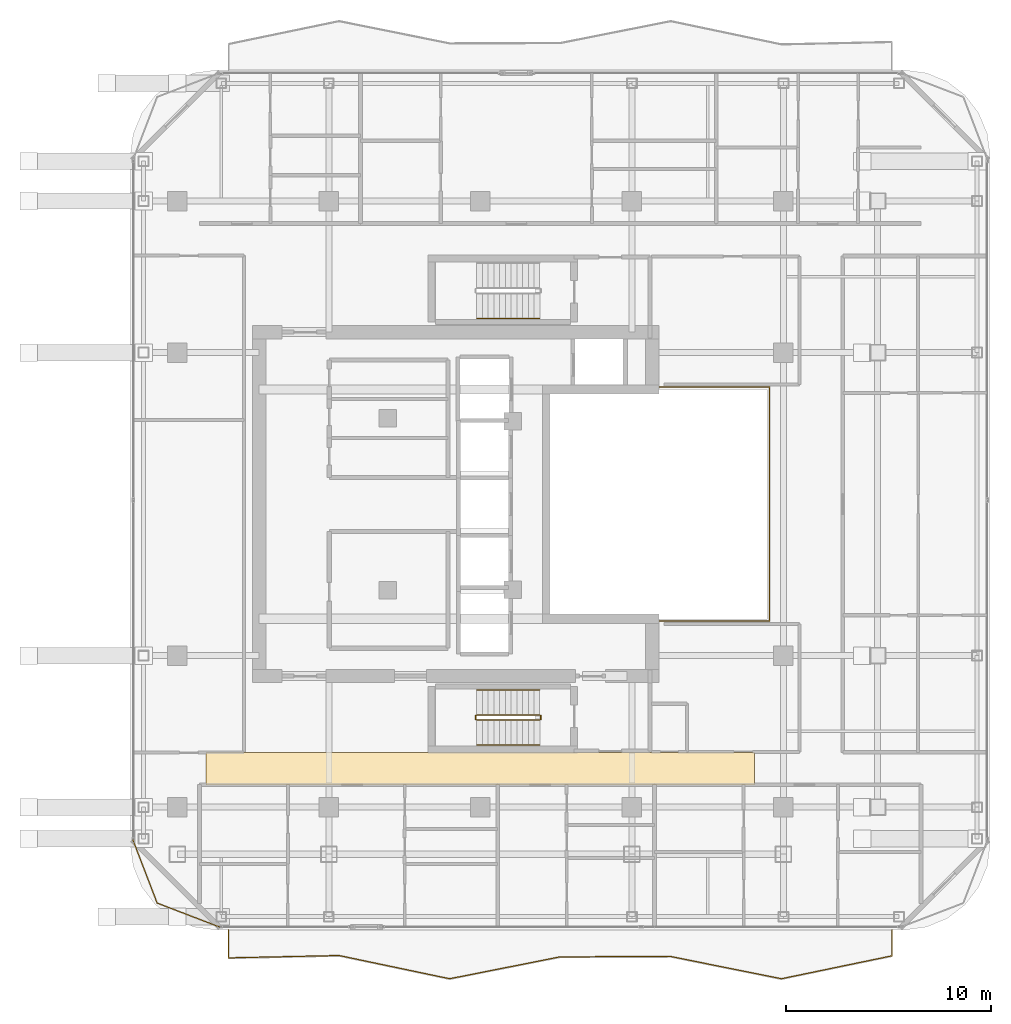
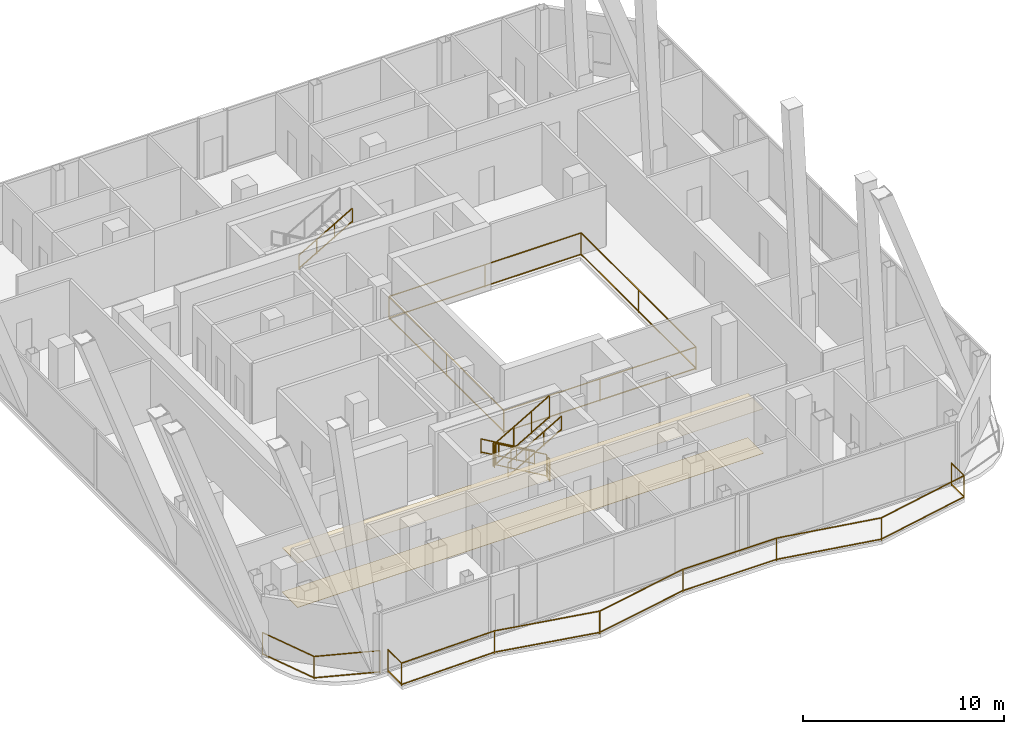
# One storey, part 25 of 27: 10 railings, 2 coverings.
"""IFC4 building model written with IfcOpenShell, lengths in metres."""

from ifc_helpers import new_model, si_unit, direction, frame, origin, origin_2d, place, context, subcontext, project, spatial, polyline, rectangle, outline, extrude, material, layer, layer_set, type_object, element, save


model = new_model("IFC4")

# Units and contexts
model_context = context("Model", 3, precision=1e-05, world=origin(), true_north=direction((0.0, 1.0)))
body_context = subcontext(model_context, "Body", "Model", "MODEL_VIEW")
ifc_project = project(units=[si_unit("LENGTHUNIT", "METRE"), si_unit("AREAUNIT", "SQUARE_METRE"), si_unit("VOLUMEUNIT", "CUBIC_METRE"), si_unit("PLANEANGLEUNIT", "RADIAN"), si_unit("MASSUNIT", "GRAM", prefix="KILO")], contexts=[model_context])

# Site, building, storey
site_placement = place(None, origin())
site = spatial("IfcSite", under=ifc_project, at=site_placement, CompositionType="ELEMENT")
building_placement = place(site_placement, origin())
building = spatial("IfcBuilding", under=site, at=building_placement, Name="Khorvyn Point Tower", CompositionType="ELEMENT")
storey_placement = place(building_placement, frame((0.0, 0.0, 270.300048828125)))
storey = spatial("IfcBuildingStorey", under=building, at=storey_placement, Name="L66", CompositionType="ELEMENT", Elevation=270.300048828125)

# Railings
ifc_material_1 = material(Name="Stainless steel 1.4401 and laminated glass", Category="steel")
railing_type_1 = type_object("IfcRailingType", Name="Crystal Atrium Smoke-Rated Perimeter Guardrail 1400", PredefinedType="GUARDRAIL", material=ifc_material_1)
railing_1_placement = place(storey_placement, frame((3.080078125, -5.719970703125, 0.0)))
element("IfcRailing", 1, at=railing_1_placement, inside=storey, type_object=railing_type_1, Name="L66 Crystal Atrium Perimeter Guardrail", PredefinedType="GUARDRAIL", context=body_context, shape_type="SweptSolid", body=[
    extrude(rectangle(XDim=0.048095703125, YDim=0.048095703125, at=origin_2d()), frame((0.0, 0.0, 1.3759765625), z_axis=(1.0, 0.0, 0.0), x_axis=(0.0, 1.0, 0.0)), (0.0, 0.0, 1.0), 11.0400390625),
    extrude(rectangle(XDim=0.048095703125, YDim=0.048095703125, at=origin_2d()), frame((0.0, 0.0, 0.080078125), z_axis=(1.0, 0.0, 0.0), x_axis=(0.0, 1.0, 0.0)), (0.0, 0.0, 1.0), 11.0400390625),
    extrude(rectangle(XDim=0.048095703125, YDim=0.048095703125, at=origin_2d()), frame((11.0400390625, 0.0, 1.3759765625), z_axis=(0.0, 1.0, 0.0), x_axis=(-1.0, 0.0, 0.0)), (0.0, 0.0, 1.0), 11.43994140625),
    extrude(rectangle(XDim=0.048095703125, YDim=0.048095703125, at=origin_2d()), frame((11.0400390625, 0.0, 0.080078125), z_axis=(0.0, 1.0, 0.0), x_axis=(-1.0, 0.0, 0.0)), (0.0, 0.0, 1.0), 11.43994140625),
    extrude(rectangle(XDim=0.048095703125, YDim=0.048095703125, at=origin_2d()), frame((11.0400390625, 11.43994140625, 1.3759765625), z_axis=(-1.0, 0.0, 0.0), x_axis=(0.0, -1.0, 0.0)), (0.0, 0.0, 1.0), 11.0400390625),
    extrude(rectangle(XDim=0.048095703125, YDim=0.048095703125, at=origin_2d()), frame((11.0400390625, 11.43994140625, 0.080078125), z_axis=(-1.0, 0.0, 0.0), x_axis=(0.0, -1.0, 0.0)), (0.0, 0.0, 1.0), 11.0400390625),
    extrude(rectangle(XDim=0.048095703125, YDim=0.048095703125, at=origin_2d()), frame((0.0, 11.43994140625, 1.3759765625), z_axis=(0.0, -1.0, 0.0), x_axis=(1.0, 0.0, 0.0)), (0.0, 0.0, 1.0), 11.409912109375),
    extrude(rectangle(XDim=0.048095703125, YDim=0.048095703125, at=origin_2d()), frame((0.0, 11.43994140625, 0.080078125), z_axis=(0.0, -1.0, 0.0), x_axis=(1.0, 0.0, 0.0)), (0.0, 0.0, 1.0), 11.409912109375),
    extrude(rectangle(XDim=0.0419921875, YDim=0.0419921875, at=origin_2d()), origin(), (0.0, 0.0, 1.0), 1.351806640625),
    extrude(rectangle(XDim=0.0419921875, YDim=0.0419921875, at=origin_2d()), frame((5.52001953125, 0.0, 0.0)), (0.0, 0.0, 1.0), 1.351806640625),
    extrude(rectangle(XDim=0.0419921875, YDim=0.0419921875, at=origin_2d()), frame((11.0400390625, 0.0, 0.0)), (0.0, 0.0, 1.0), 1.351806640625),
    extrude(rectangle(XDim=0.0419921875, YDim=0.0419921875, at=origin_2d()), frame((11.0400390625, 5.719970703125, 0.0)), (0.0, 0.0, 1.0), 1.351806640625),
    extrude(rectangle(XDim=0.0419921875, YDim=0.0419921875, at=origin_2d()), frame((11.0400390625, 11.43994140625, 0.0)), (0.0, 0.0, 1.0), 1.351806640625),
    extrude(rectangle(XDim=0.0419921875, YDim=0.0419921875, at=origin_2d()), frame((5.52001953125, 11.43994140625, 0.0)), (0.0, 0.0, 1.0), 1.351806640625),
    extrude(rectangle(XDim=0.0419921875, YDim=0.0419921875, at=origin_2d()), frame((0.0, 11.43994140625, 0.0)), (0.0, 0.0, 1.0), 1.351806640625),
    extrude(rectangle(XDim=0.0419921875, YDim=0.0419921875, at=origin_2d()), frame((0.0, 5.73486328125, 0.0)), (0.0, 0.0, 1.0), 1.351806640625),
    extrude(rectangle(XDim=0.0419921875, YDim=0.0419921875, at=origin_2d()), frame((0.0, 0.030029296875, 0.0)), (0.0, 0.0, 1.0), 1.351806640625),
])
ifc_material_2 = material(Name="Anodised aluminium 6063-T6 and laminated safety glass", Category="aluminium")
railing_type_2 = type_object("IfcRailingType", Name="Laminated Glass and Aluminium Balcony Guardrail 1400", PredefinedType="BALUSTRADE", material=ifc_material_2)
railing_2_placement = place(storey_placement, frame((-16.974365234375, -16.386474609375, 0.0)))
element("IfcRailing", 2, at=railing_2_placement, inside=storey, type_object=railing_type_2, Name="L66 Rounded Corner Edge Guardrail SW", PredefinedType="BALUSTRADE", context=body_context, shape_type="SweptSolid", body=[
    extrude(rectangle(XDim=0.048095703125, YDim=0.048095703125, at=origin_2d()), frame((0.0, 0.0, 1.3759765625), z_axis=(0.358367799998, -0.933580483903, 0.0), x_axis=(0.933580483903, 0.358367799998, 0.0)), (0.0, 0.0, 1.0), 3.319091796875),
    extrude(rectangle(XDim=0.048095703125, YDim=0.048095703125, at=origin_2d()), frame((0.0, 0.0, 0.080078125), z_axis=(0.358367799998, -0.933580483903, 0.0), x_axis=(0.933580483903, 0.358367799998, 0.0)), (0.0, 0.0, 1.0), 3.319091796875),
    extrude(rectangle(XDim=0.048095703125, YDim=0.048095703125, at=origin_2d()), frame((1.189453125, -3.0986328125, 1.3759765625), z_axis=(0.933595647299, -0.358328295484, 0.0), x_axis=(0.358328295484, 0.933595647299, 0.0)), (0.0, 0.0, 1.0), 3.31884765625),
    extrude(rectangle(XDim=0.048095703125, YDim=0.048095703125, at=origin_2d()), frame((1.189453125, -3.0986328125, 0.080078125), z_axis=(0.933595647299, -0.358328295484, 0.0), x_axis=(0.358328295484, 0.933595647299, 0.0)), (0.0, 0.0, 1.0), 3.31884765625),
    extrude(rectangle(XDim=0.0419921875, YDim=0.0419921875, at=origin_2d()), origin(), (0.0, 0.0, 1.0), 1.351806640625),
    extrude(rectangle(XDim=0.0419921875, YDim=0.0419921875, at=origin_2d()), frame((1.189453125, -3.0986328125, 0.0)), (0.0, 0.0, 1.0), 1.351806640625),
    extrude(rectangle(XDim=0.0419921875, YDim=0.0419921875, at=origin_2d()), frame((4.287841796875, -4.287841796875, 0.0)), (0.0, 0.0, 1.0), 1.351806640625),
])
railing_3_placement = place(storey_placement, frame((-12.300048828125, -20.800048828125, 0.0)))
element("IfcRailing", 3, at=railing_3_placement, inside=storey, type_object=railing_type_2, Name="L66 South Balcony Guardrail", PredefinedType="BALUSTRADE", context=body_context, shape_type="SweptSolid", body=[
    extrude(rectangle(XDim=0.048095703125, YDim=0.048095703125, at=origin_2d()), frame((0.0, 0.0, 1.3759765625), z_axis=(0.0, -1.0, 0.0), x_axis=(1.0, 0.0, 0.0)), (0.0, 0.0, 1.0), 1.362548828125),
    extrude(rectangle(XDim=0.048095703125, YDim=0.048095703125, at=origin_2d()), frame((0.0, 0.0, 0.080078125), z_axis=(0.0, -1.0, 0.0), x_axis=(1.0, 0.0, 0.0)), (0.0, 0.0, 1.0), 1.362548828125),
    extrude(rectangle(XDim=0.048095703125, YDim=0.048095703125, at=origin_2d()), frame((0.0, -1.362548828125, 1.3759765625), z_axis=(0.999770466456, 0.021424621416, 0.0), x_axis=(-0.021424621416, 0.999770466456, 0.0)), (0.0, 0.0, 1.0), 5.4013671875),
    extrude(rectangle(XDim=0.048095703125, YDim=0.048095703125, at=origin_2d()), frame((0.0, -1.362548828125, 0.080078125), z_axis=(0.999770466456, 0.021424621416, 0.0), x_axis=(-0.021424621416, 0.999770466456, 0.0)), (0.0, 0.0, 1.0), 5.4013671875),
    extrude(rectangle(XDim=0.048095703125, YDim=0.048095703125, at=origin_2d()), frame((5.400146484375, -1.246826171875, 1.3759765625), z_axis=(0.978633735831, -0.205611310715, 0.0), x_axis=(0.205611310715, 0.978633735831, 0.0)), (0.0, 0.0, 1.0), 5.517822265625),
    extrude(rectangle(XDim=0.048095703125, YDim=0.048095703125, at=origin_2d()), frame((5.400146484375, -1.246826171875, 0.080078125), z_axis=(0.978633735831, -0.205611310715, 0.0), x_axis=(0.205611310715, 0.978633735831, 0.0)), (0.0, 0.0, 1.0), 5.517822265625),
    extrude(rectangle(XDim=0.048095703125, YDim=0.048095703125, at=origin_2d()), frame((10.800048828125, -2.38134765625, 1.3759765625), z_axis=(0.980933871194, 0.194341813165, 0.0), x_axis=(-0.194341813165, 0.980933871194, 0.0)), (0.0, 0.0, 1.0), 5.5048828125),
    extrude(rectangle(XDim=0.048095703125, YDim=0.048095703125, at=origin_2d()), frame((10.800048828125, -2.38134765625, 0.080078125), z_axis=(0.980933871194, 0.194341813165, 0.0), x_axis=(-0.194341813165, 0.980933871194, 0.0)), (0.0, 0.0, 1.0), 5.5048828125),
    extrude(rectangle(XDim=0.048095703125, YDim=0.048095703125, at=origin_2d()), frame((16.199951171875, -1.3115234375, 1.3759765625), z_axis=(0.999995274435, 0.003074265503, 0.0), x_axis=(-0.003074265503, 0.999995274435, 0.0)), (0.0, 0.0, 1.0), 5.400146484375),
    extrude(rectangle(XDim=0.048095703125, YDim=0.048095703125, at=origin_2d()), frame((16.199951171875, -1.3115234375, 0.080078125), z_axis=(0.999995274435, 0.003074265503, 0.0), x_axis=(-0.003074265503, 0.999995274435, 0.0)), (0.0, 0.0, 1.0), 5.400146484375),
    extrude(rectangle(XDim=0.048095703125, YDim=0.048095703125, at=origin_2d()), frame((21.60009765625, -1.294921875, 1.3759765625), z_axis=(0.980320704809, -0.197411538983, 0.0), x_axis=(0.197411538983, 0.980320704809, 0.0)), (0.0, 0.0, 1.0), 5.50830078125),
    extrude(rectangle(XDim=0.048095703125, YDim=0.048095703125, at=origin_2d()), frame((21.60009765625, -1.294921875, 0.080078125), z_axis=(0.980320704809, -0.197411538983, 0.0), x_axis=(0.197411538983, 0.980320704809, 0.0)), (0.0, 0.0, 1.0), 5.50830078125),
    extrude(rectangle(XDim=0.048095703125, YDim=0.048095703125, at=origin_2d()), frame((27.0, -2.38232421875, 1.3759765625), z_axis=(0.979166731109, 0.20305790477, 0.0), x_axis=(-0.20305790477, 0.979166731109, 0.0)), (0.0, 0.0, 1.0), 5.51513671875),
    extrude(rectangle(XDim=0.048095703125, YDim=0.048095703125, at=origin_2d()), frame((27.0, -2.38232421875, 0.080078125), z_axis=(0.979166731109, 0.20305790477, 0.0), x_axis=(-0.20305790477, 0.979166731109, 0.0)), (0.0, 0.0, 1.0), 5.51513671875),
    extrude(rectangle(XDim=0.048095703125, YDim=0.048095703125, at=origin_2d()), frame((32.400146484375, -1.262451171875, 1.3759765625), z_axis=(0.0, 1.0, 0.0), x_axis=(-1.0, 0.0, 0.0)), (0.0, 0.0, 1.0), 1.262451171875),
    extrude(rectangle(XDim=0.048095703125, YDim=0.048095703125, at=origin_2d()), frame((32.400146484375, -1.262451171875, 0.080078125), z_axis=(0.0, 1.0, 0.0), x_axis=(-1.0, 0.0, 0.0)), (0.0, 0.0, 1.0), 1.262451171875),
    extrude(rectangle(XDim=0.0419921875, YDim=0.0419921875, at=origin_2d()), origin(), (0.0, 0.0, 1.0), 1.351806640625),
    extrude(rectangle(XDim=0.0419921875, YDim=0.0419921875, at=origin_2d()), frame((0.0, -1.362548828125, 0.0)), (0.0, 0.0, 1.0), 1.351806640625),
    extrude(rectangle(XDim=0.0419921875, YDim=0.0419921875, at=origin_2d()), frame((5.400146484375, -1.246826171875, 0.0)), (0.0, 0.0, 1.0), 1.351806640625),
    extrude(rectangle(XDim=0.0419921875, YDim=0.0419921875, at=origin_2d()), frame((10.800048828125, -2.38134765625, 0.0)), (0.0, 0.0, 1.0), 1.351806640625),
    extrude(rectangle(XDim=0.0419921875, YDim=0.0419921875, at=origin_2d()), frame((16.199951171875, -1.3115234375, 0.0)), (0.0, 0.0, 1.0), 1.351806640625),
    extrude(rectangle(XDim=0.0419921875, YDim=0.0419921875, at=origin_2d()), frame((21.60009765625, -1.294921875, 0.0)), (0.0, 0.0, 1.0), 1.351806640625),
    extrude(rectangle(XDim=0.0419921875, YDim=0.0419921875, at=origin_2d()), frame((27.0, -2.38232421875, 0.0)), (0.0, 0.0, 1.0), 1.351806640625),
    extrude(rectangle(XDim=0.0419921875, YDim=0.0419921875, at=origin_2d()), frame((32.400146484375, -1.262451171875, 0.0)), (0.0, 0.0, 1.0), 1.351806640625),
    extrude(rectangle(XDim=0.0419921875, YDim=0.0419921875, at=origin_2d()), frame((32.400146484375, 0.0, 0.0)), (0.0, 0.0, 1.0), 1.351806640625),
])

# Coverings
ifc_material_3 = material(Name="Mineral-fibre acoustic ceiling board", Category="gypsum")
ifc_layer_1 = layer(ifc_material_3, 0.02001953125)
ifc_layer_set_1 = layer_set([ifc_layer_1], Name="Perforated Mineral-Fibre Acoustic Suspended Ceiling 20")
covering_type_1 = type_object("IfcCoveringType", Name="Perforated Mineral-Fibre Acoustic Suspended Ceiling 20", PredefinedType="CEILING", material=ifc_layer_set_1)
covering_1_placement = place(storey_placement, frame((0.0, 0.0, 2.699951171875)))
element("IfcCovering", 4, at=covering_1_placement, inside=storey, type_object=covering_type_1, Name="L66 South Corridor Acoustic Ceiling", PredefinedType="CEILING", context=body_context, shape_type="SweptSolid", body=[
    extrude(outline(polyline([(-13.39990234375, -13.7099609375), (13.39990234375, -13.7099609375), (13.39990234375, -12.139892578125), (-13.39990234375, -12.139892578125), (-13.39990234375, -13.7099609375)])), origin(), (0.0, 0.0, 1.0), 0.02001953125),
])
ifc_material_4 = material(Name="Vitrified porcelain terrazzo tile", Category="ceramic")
ifc_layer_2 = layer(ifc_material_4, 0.01806640625)
ifc_layer_set_2 = layer_set([ifc_layer_2], Name="Porcelain Terrazzo Corridor Floor Finish Tile 18")
covering_type_2 = type_object("IfcCoveringType", Name="Porcelain Terrazzo Corridor Floor Finish Tile 18", PredefinedType="FLOORING", material=ifc_layer_set_2)
covering_2_placement = place(storey_placement, origin())
element("IfcCovering", 5, at=covering_2_placement, inside=storey, type_object=covering_type_2, Name="L66 South Corridor Terrazzo Flooring", PredefinedType="FLOORING", context=body_context, shape_type="SweptSolid", body=[
    extrude(outline(polyline([(-13.39990234375, -13.7099609375), (13.39990234375, -13.7099609375), (13.39990234375, -12.139892578125), (-13.39990234375, -12.139892578125), (-13.39990234375, -13.7099609375)])), origin(), (0.0, 0.0, 1.0), 0.01806640625),
])

# Railings
ifc_material_5 = material(Name="Stainless steel 1.4301", Category="steel")
railing_type_3 = type_object("IfcRailingType", Name="Stainless Steel 304 Stair Pitch Handrail 900", PredefinedType="HANDRAIL", material=ifc_material_5)
railing_4_placement = place(storey_placement, frame((2.89990234375, -9.070068359375, 0.162353515625)))
element("IfcRailing", 6, at=railing_4_placement, inside=storey, type_object=railing_type_3, Name="L66 ST-01 stair handrail 1", PredefinedType="HANDRAIL", context=body_context, shape_type="SweptSolid", body=[
    extrude(rectangle(XDim=0.048095703125, YDim=0.048095703125, at=origin_2d()), frame((0.0, 0.0, 0.8759765625), z_axis=(-0.864873446163, 0.0, 0.501989962173), x_axis=(0.0, -1.0, 0.0)), (0.0, 0.0, 1.0), 3.56103515625),
    extrude(rectangle(XDim=0.048095703125, YDim=0.048095703125, at=origin_2d()), frame((0.0, 0.0, 0.080078125), z_axis=(-0.864873446163, 0.0, 0.501989962173), x_axis=(0.0, -1.0, 0.0)), (0.0, 0.0, 1.0), 3.56103515625),
    extrude(rectangle(XDim=0.0419921875, YDim=0.0419921875, at=origin_2d()), origin(), (0.0, 0.0, 1.0), 0.851806640625),
    extrude(rectangle(XDim=0.0419921875, YDim=0.0419921875, at=origin_2d()), frame((-1.026611328125, 0.0, 0.595947265625)), (0.0, 0.0, 1.0), 0.851806640625),
    extrude(rectangle(XDim=0.0419921875, YDim=0.0419921875, at=origin_2d()), frame((-2.05322265625, 0.0, 1.191650390625)), (0.0, 0.0, 1.0), 0.851806640625),
    extrude(rectangle(XDim=0.0419921875, YDim=0.0419921875, at=origin_2d()), frame((-3.079833984375, 0.0, 1.78759765625)), (0.0, 0.0, 1.0), 0.851806640625),
])
for number, where, name in (
    (7, (-0.179931640625, -11.77001953125, 2.112548828125), "L66 ST-01 stair handrail 2"),
    (8, (-0.179931640625, 9.070068359375, 2.112548828125), "L66 ST-02 stair handrail 2"),
):
    element("IfcRailing", number, at=place(storey_placement, frame(where)), inside=storey, type_object=railing_type_3, Name=name, PredefinedType="HANDRAIL", context=body_context, shape_type="SweptSolid", body=[
        extrude(rectangle(XDim=0.048095703125, YDim=0.048095703125, at=origin_2d()), frame((0.0, 0.0, 0.8759765625), z_axis=(0.864903211148, 0.0, 0.501938676878), x_axis=(0.0, 1.0, 0.0)), (0.0, 0.0, 1.0), 3.560791015625),
        extrude(rectangle(XDim=0.048095703125, YDim=0.048095703125, at=origin_2d()), frame((0.0, 0.0, 0.080078125), z_axis=(0.864903211148, 0.0, 0.501938676878), x_axis=(0.0, 1.0, 0.0)), (0.0, 0.0, 1.0), 3.560791015625),
        extrude(rectangle(XDim=0.0419921875, YDim=0.0419921875, at=origin_2d()), origin(), (0.0, 0.0, 1.0), 0.851806640625),
        extrude(rectangle(XDim=0.0419921875, YDim=0.0419921875, at=origin_2d()), frame((1.026611328125, 0.0, 0.595703125)), (0.0, 0.0, 1.0), 0.851806640625),
        extrude(rectangle(XDim=0.0419921875, YDim=0.0419921875, at=origin_2d()), frame((2.05322265625, 0.0, 1.191650390625)), (0.0, 0.0, 1.0), 0.851806640625),
        extrude(rectangle(XDim=0.0419921875, YDim=0.0419921875, at=origin_2d()), frame((3.079833984375, 0.0, 1.787353515625)), (0.0, 0.0, 1.0), 0.851806640625),
    ])
railing_type_4 = type_object("IfcRailingType", Name="Stainless Steel 304 Stair Well Guardrail 1400", PredefinedType="GUARDRAIL", material=ifc_material_5)
railing_5_placement = place(storey_placement, frame((2.89990234375, -10.2900390625, 0.162353515625)))
element("IfcRailing", 9, at=railing_5_placement, inside=storey, type_object=railing_type_4, Name="L66 ST-01 stair guard 1", PredefinedType="GUARDRAIL", context=body_context, shape_type="SweptSolid", body=[
    extrude(rectangle(XDim=0.048095703125, YDim=0.048095703125, at=origin_2d()), frame((0.0, 0.0, 1.3759765625), z_axis=(-0.864873446163, 0.0, 0.501989962173), x_axis=(0.0, -1.0, 0.0)), (0.0, 0.0, 1.0), 3.56103515625),
    extrude(rectangle(XDim=0.048095703125, YDim=0.048095703125, at=origin_2d()), frame((0.0, 0.0, 0.080078125), z_axis=(-0.864873446163, 0.0, 0.501989962173), x_axis=(0.0, -1.0, 0.0)), (0.0, 0.0, 1.0), 3.56103515625),
    extrude(rectangle(XDim=0.0419921875, YDim=0.0419921875, at=origin_2d()), origin(), (0.0, 0.0, 1.0), 1.351806640625),
    extrude(rectangle(XDim=0.0419921875, YDim=0.0419921875, at=origin_2d()), frame((-1.026611328125, 0.0, 0.595947265625)), (0.0, 0.0, 1.0), 1.351806640625),
    extrude(rectangle(XDim=0.0419921875, YDim=0.0419921875, at=origin_2d()), frame((-2.05322265625, 0.0, 1.191650390625)), (0.0, 0.0, 1.0), 1.351806640625),
    extrude(rectangle(XDim=0.0419921875, YDim=0.0419921875, at=origin_2d()), frame((-3.079833984375, 0.0, 1.78759765625)), (0.0, 0.0, 1.0), 1.351806640625),
])
railing_6_placement = place(storey_placement, frame((-0.22998046875, -10.340087890625, 1.949951171875)))
element("IfcRailing", 10, at=railing_6_placement, inside=storey, type_object=railing_type_4, Name="L66 ST-01 stair guard 2", PredefinedType="GUARDRAIL", context=body_context, shape_type="SweptSolid", body=[
    extrude(rectangle(XDim=0.048095703125, YDim=0.048095703125, at=origin_2d()), frame((0.0, 0.0, 1.3759765625), z_axis=(0.0, -1.0, 0.0), x_axis=(1.0, 0.0, 0.0)), (0.0, 0.0, 1.0), 0.159912109375),
    extrude(rectangle(XDim=0.048095703125, YDim=0.048095703125, at=origin_2d()), frame((0.0, 0.0, 0.080078125), z_axis=(0.0, -1.0, 0.0), x_axis=(1.0, 0.0, 0.0)), (0.0, 0.0, 1.0), 0.159912109375),
    extrude(rectangle(XDim=0.0419921875, YDim=0.0419921875, at=origin_2d()), origin(), (0.0, 0.0, 1.0), 1.351806640625),
    extrude(rectangle(XDim=0.0419921875, YDim=0.0419921875, at=origin_2d()), frame((0.0, -0.159912109375, 0.0)), (0.0, 0.0, 1.0), 1.351806640625),
])
railing_7_placement = place(storey_placement, frame((-0.179931640625, -10.550048828125, 2.112548828125)))
element("IfcRailing", 11, at=railing_7_placement, inside=storey, type_object=railing_type_4, Name="L66 ST-01 stair guard 3", PredefinedType="GUARDRAIL", context=body_context, shape_type="SweptSolid", body=[
    extrude(rectangle(XDim=0.048095703125, YDim=0.048095703125, at=origin_2d()), frame((0.0, 0.0, 1.3759765625), z_axis=(0.864903211148, 0.0, 0.501938676878), x_axis=(0.0, 1.0, 0.0)), (0.0, 0.0, 1.0), 3.560791015625),
    extrude(rectangle(XDim=0.048095703125, YDim=0.048095703125, at=origin_2d()), frame((0.0, 0.0, 0.080078125), z_axis=(0.864903211148, 0.0, 0.501938676878), x_axis=(0.0, 1.0, 0.0)), (0.0, 0.0, 1.0), 3.560791015625),
    extrude(rectangle(XDim=0.0419921875, YDim=0.0419921875, at=origin_2d()), origin(), (0.0, 0.0, 1.0), 1.351806640625),
    extrude(rectangle(XDim=0.0419921875, YDim=0.0419921875, at=origin_2d()), frame((1.026611328125, 0.0, 0.595703125)), (0.0, 0.0, 1.0), 1.351806640625),
    extrude(rectangle(XDim=0.0419921875, YDim=0.0419921875, at=origin_2d()), frame((2.05322265625, 0.0, 1.191650390625)), (0.0, 0.0, 1.0), 1.351806640625),
    extrude(rectangle(XDim=0.0419921875, YDim=0.0419921875, at=origin_2d()), frame((3.079833984375, 0.0, 1.787353515625)), (0.0, 0.0, 1.0), 1.351806640625),
])
railing_8_placement = place(storey_placement, frame((2.949951171875, -10.340087890625, 0.0)))
element("IfcRailing", 12, at=railing_8_placement, inside=storey, type_object=railing_type_4, Name="L66 ST-01 stair guard 4", PredefinedType="GUARDRAIL", context=body_context, shape_type="SweptSolid", body=[
    extrude(rectangle(XDim=0.048095703125, YDim=0.048095703125, at=origin_2d()), frame((0.0, 0.0, 1.3759765625), z_axis=(0.0, -1.0, 0.0), x_axis=(1.0, 0.0, 0.0)), (0.0, 0.0, 1.0), 0.159912109375),
    extrude(rectangle(XDim=0.048095703125, YDim=0.048095703125, at=origin_2d()), frame((0.0, 0.0, 0.080078125), z_axis=(0.0, -1.0, 0.0), x_axis=(1.0, 0.0, 0.0)), (0.0, 0.0, 1.0), 0.159912109375),
    extrude(rectangle(XDim=0.0419921875, YDim=0.0419921875, at=origin_2d()), origin(), (0.0, 0.0, 1.0), 1.351806640625),
    extrude(rectangle(XDim=0.0419921875, YDim=0.0419921875, at=origin_2d()), frame((0.0, -0.159912109375, 0.0)), (0.0, 0.0, 1.0), 1.351806640625),
])

save(model, "model.ifc")
